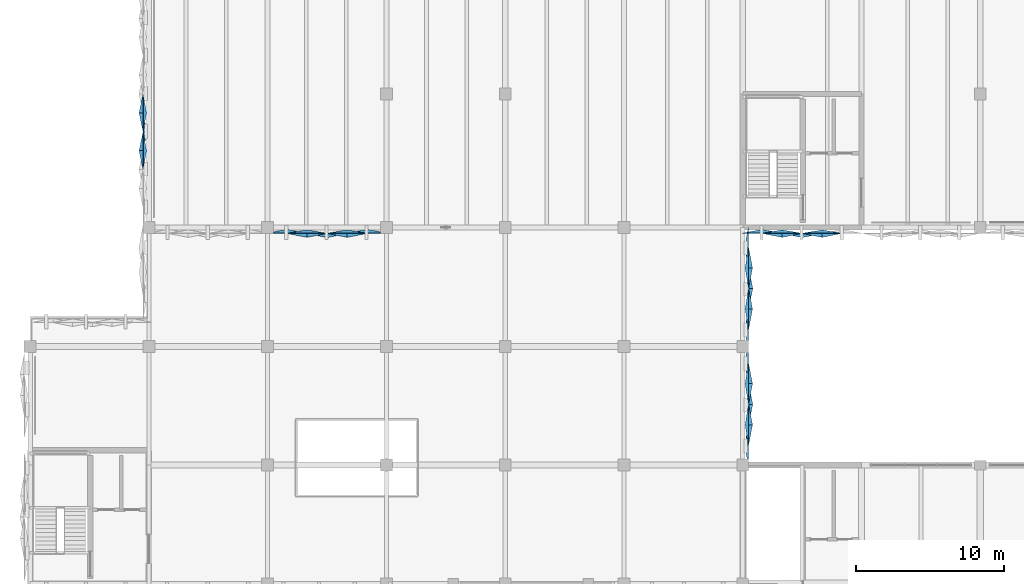
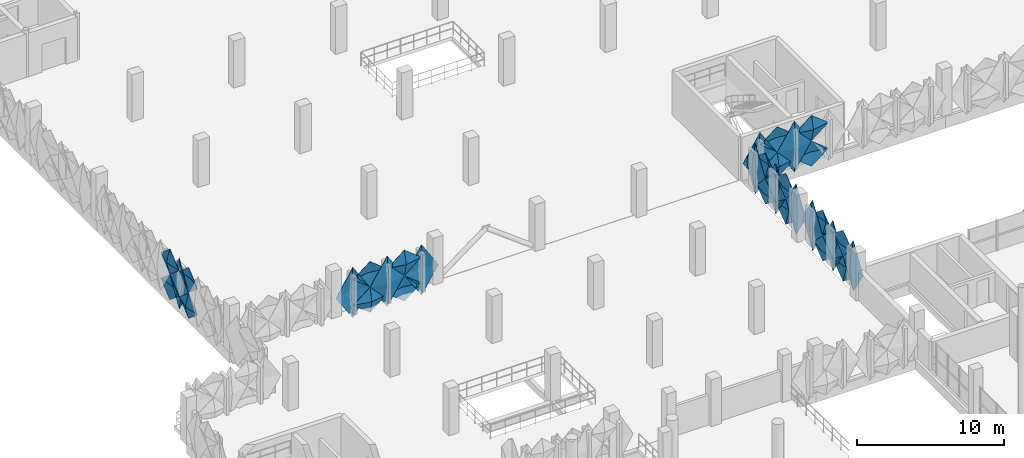
# One storey, part 90 of 123: 32 plates.
"""IFC4 building model written with IfcOpenShell, lengths in metres."""

from ifc_helpers import new_model, si_unit, derived_unit, direction, frame, origin, place, context, subcontext, project, spatial, polygons, material, layer, layer_set, type_object, element, save


model = new_model("IFC4")

# Units and contexts
model_context = context("Model", 3, precision=1e-05, world=origin(), true_north=direction((0.0, 1.0)))
body_context = subcontext(model_context, "Body", "Model", "MODEL_VIEW")
ifc_project = project(units=[si_unit("LENGTHUNIT", "METRE"), si_unit("AREAUNIT", "SQUARE_METRE"), si_unit("VOLUMEUNIT", "CUBIC_METRE"), si_unit("PLANEANGLEUNIT", "RADIAN"), si_unit("MASSUNIT", "GRAM", prefix="KILO"), si_unit("THERMODYNAMICTEMPERATUREUNIT", "KELVIN"), derived_unit("THERMALTRANSMITTANCEUNIT", [(si_unit("POWERUNIT", "WATT"), 1), (si_unit("AREAUNIT", "SQUARE_METRE"), -1), (si_unit("THERMODYNAMICTEMPERATUREUNIT", "KELVIN"), -1)])], contexts=[model_context])

# Site, building, storey
site_placement = place(None, origin())
site = spatial("IfcSite", under=ifc_project, at=site_placement, CompositionType="ELEMENT")
building_placement = place(site_placement, origin())
building = spatial("IfcBuilding", under=site, at=building_placement, Name="Haiyu Intermodal Mobility Hub", CompositionType="ELEMENT")
storey_placement = place(building_placement, frame((0.0, 0.0, 5.60009765625)))
storey = spatial("IfcBuildingStorey", under=building, at=storey_placement, Name="L01", CompositionType="ELEMENT", Elevation=5.60009765625)

# Plates
ifc_material = material(Name="Anodised aluminium 6063-T6", Category="aluminium")
ifc_layer_1 = layer(ifc_material, 0.01806640625)
ifc_layer_set_1 = layer_set([ifc_layer_1], Name="Anodised aluminium 6063-T6")
plate_type_1 = type_object("IfcPlateType", Name="PLT-FC03", PredefinedType="USERDEFINED", material=ifc_layer_set_1)
plate_1_placement = place(storey_placement, origin())
element("IfcPlate", 1, at=plate_1_placement, inside=storey, type_object=plate_type_1, Name="PLT-PYR-0534", ObjectType="FACADE CASSETTE", PredefinedType="USERDEFINED", context=body_context, shape_type="Tessellation", body=[
    polygons([(21.60009765625, 109.177001953125, -0.52001953125), (21.60009765625, 107.923095703125, 0.52978515625), (21.60009765625, 109.177001953125, 1.579833984375), (21.60009765625, 110.430908203125, 0.52978515625), (21.340087890625, 109.177001953125, 0.52978515625), (21.6220703125, 109.177001953125, -0.52001953125), (21.6220703125, 107.923095703125, 0.52978515625), (21.6220703125, 109.177001953125, 1.579833984375), (21.6220703125, 110.430908203125, 0.52978515625), (21.362060546875, 109.177001953125, 0.52978515625)], [[[1, 2, 5]], [[2, 3, 5]], [[3, 4, 5]], [[4, 1, 5]], [[7, 6, 10]], [[8, 7, 10]], [[9, 8, 10]], [[6, 9, 10]], [[1, 6, 7, 2]], [[2, 7, 8, 3]], [[3, 8, 9, 4]], [[4, 9, 6, 1]]], closed=True),
])
plate_2_placement = place(storey_placement, origin())
element("IfcPlate", 2, at=plate_2_placement, inside=storey, type_object=plate_type_1, Name="PLT-PYR-2020", ObjectType="FACADE CASSETTE", PredefinedType="USERDEFINED", context=body_context, shape_type="Tessellation", body=[
    polygons([(62.39990234375, 90.717041015625, -0.52001953125), (62.39990234375, 92.080078125, 0.52978515625), (62.39990234375, 90.717041015625, 1.579833984375), (62.39990234375, 89.35302734375, 0.52978515625), (62.659912109375, 90.717041015625, 0.52978515625), (62.3779296875, 90.717041015625, -0.52001953125), (62.3779296875, 92.080078125, 0.52978515625), (62.3779296875, 90.717041015625, 1.579833984375), (62.3779296875, 89.35302734375, 0.52978515625), (62.637939453125, 90.717041015625, 0.52978515625)], [[[1, 2, 5]], [[2, 3, 5]], [[3, 4, 5]], [[4, 1, 5]], [[7, 6, 10]], [[8, 7, 10]], [[9, 8, 10]], [[6, 9, 10]], [[1, 6, 7, 2]], [[2, 7, 8, 3]], [[3, 8, 9, 4]], [[4, 9, 6, 1]]], closed=True),
])
plate_3_placement = place(storey_placement, origin())
element("IfcPlate", 3, at=plate_3_placement, inside=storey, type_object=plate_type_1, Name="PLT-PYR-2027", ObjectType="FACADE CASSETTE", PredefinedType="USERDEFINED", context=body_context, shape_type="Tessellation", body=[
    polygons([(62.39990234375, 98.51708984375, -0.52001953125), (62.39990234375, 99.8798828125, 0.52978515625), (62.39990234375, 98.51708984375, 1.579833984375), (62.39990234375, 97.153076171875, 0.52978515625), (62.659912109375, 98.51708984375, 0.52978515625), (62.3779296875, 98.51708984375, -0.52001953125), (62.3779296875, 99.8798828125, 0.52978515625), (62.3779296875, 98.51708984375, 1.579833984375), (62.3779296875, 97.153076171875, 0.52978515625), (62.637939453125, 98.51708984375, 0.52978515625)], [[[1, 2, 5]], [[2, 3, 5]], [[3, 4, 5]], [[4, 1, 5]], [[7, 6, 10]], [[8, 7, 10]], [[9, 8, 10]], [[6, 9, 10]], [[1, 6, 7, 2]], [[2, 7, 8, 3]], [[3, 8, 9, 4]], [[4, 9, 6, 1]]], closed=True),
])
plate_4_placement = place(storey_placement, origin())
element("IfcPlate", 4, at=plate_4_placement, inside=storey, type_object=plate_type_1, Name="PLT-PYR-2191", ObjectType="FACADE CASSETTE", PredefinedType="USERDEFINED", context=body_context, shape_type="Tessellation", body=[
    polygons([(64.64990234375, 103.60009765625, -0.52001953125), (65.97998046875, 103.60009765625, 0.52978515625), (64.64990234375, 103.60009765625, 1.579833984375), (63.320068359375, 103.60009765625, 0.52978515625), (64.64990234375, 103.340087890625, 0.52978515625), (64.64990234375, 103.6220703125, -0.52001953125), (65.97998046875, 103.6220703125, 0.52978515625), (64.64990234375, 103.6220703125, 1.579833984375), (63.320068359375, 103.6220703125, 0.52978515625), (64.64990234375, 103.362060546875, 0.52978515625)], [[[1, 2, 5]], [[2, 3, 5]], [[3, 4, 5]], [[4, 1, 5]], [[7, 6, 10]], [[8, 7, 10]], [[9, 8, 10]], [[6, 9, 10]], [[1, 6, 7, 2]], [[2, 7, 8, 3]], [[3, 8, 9, 4]], [[4, 9, 6, 1]]], closed=True),
])
plate_5_placement = place(storey_placement, origin())
element("IfcPlate", 5, at=plate_5_placement, inside=storey, type_object=plate_type_1, Name="PLT-PYR-2275", ObjectType="FACADE CASSETTE", PredefinedType="USERDEFINED", context=body_context, shape_type="Tessellation", body=[
    polygons([(32.64990234375, 103.60009765625, -0.52001953125), (33.97998046875, 103.60009765625, 0.52978515625), (32.64990234375, 103.60009765625, 1.579833984375), (31.320068359375, 103.60009765625, 0.52978515625), (32.64990234375, 103.340087890625, 0.52978515625), (32.64990234375, 103.6220703125, -0.52001953125), (33.97998046875, 103.6220703125, 0.52978515625), (32.64990234375, 103.6220703125, 1.579833984375), (31.320068359375, 103.6220703125, 0.52978515625), (32.64990234375, 103.362060546875, 0.52978515625)], [[[1, 2, 5]], [[2, 3, 5]], [[3, 4, 5]], [[4, 1, 5]], [[7, 6, 10]], [[8, 7, 10]], [[9, 8, 10]], [[6, 9, 10]], [[1, 6, 7, 2]], [[2, 7, 8, 3]], [[3, 8, 9, 4]], [[4, 9, 6, 1]]], closed=True),
])
ifc_layer_2 = layer(ifc_material, 0.02001953125)
ifc_layer_set_2 = layer_set([ifc_layer_2], Name="Anodised aluminium 6063-T6")
plate_type_2 = type_object("IfcPlateType", Name="PLT-FC04", PredefinedType="USERDEFINED", material=ifc_layer_set_2)
plate_6_placement = place(storey_placement, origin())
element("IfcPlate", 6, at=plate_6_placement, inside=storey, type_object=plate_type_2, Name="PLT-PYR-0531", ObjectType="FACADE CASSETTE", PredefinedType="USERDEFINED", context=body_context, shape_type="Tessellation", body=[
    polygons([(21.60009765625, 111.72607421875, -0.52001953125), (21.60009765625, 110.470947265625, 0.52978515625), (21.60009765625, 111.72607421875, 1.579833984375), (21.60009765625, 112.97998046875, 0.52978515625), (21.820068359375, 111.72607421875, 0.52978515625), (21.6220703125, 111.72607421875, -0.52001953125), (21.6220703125, 110.470947265625, 0.52978515625), (21.6220703125, 111.72607421875, 1.579833984375), (21.6220703125, 112.97998046875, 0.52978515625), (21.842041015625, 111.72607421875, 0.52978515625)], [[[1, 2, 5]], [[2, 3, 5]], [[3, 4, 5]], [[4, 1, 5]], [[7, 6, 10]], [[8, 7, 10]], [[9, 8, 10]], [[6, 9, 10]], [[1, 6, 7, 2]], [[2, 7, 8, 3]], [[3, 8, 9, 4]], [[4, 9, 6, 1]]], closed=True),
])
plate_7_placement = place(storey_placement, origin())
element("IfcPlate", 7, at=plate_7_placement, inside=storey, type_object=plate_type_2, Name="PLT-PYR-0533", ObjectType="FACADE CASSETTE", PredefinedType="USERDEFINED", context=body_context, shape_type="Tessellation", body=[
    polygons([(21.60009765625, 110.450927734375, -0.510009765625), (21.60009765625, 109.197021484375, 1.599853515625), (21.60009765625, 110.450927734375, 3.7099609375), (21.60009765625, 111.7060546875, 1.599853515625), (21.860107421875, 110.450927734375, 1.599853515625), (21.6220703125, 110.450927734375, -0.510009765625), (21.6220703125, 109.197021484375, 1.599853515625), (21.6220703125, 110.450927734375, 3.7099609375), (21.6220703125, 111.7060546875, 1.599853515625), (21.882080078125, 110.450927734375, 1.599853515625)], [[[1, 2, 5]], [[2, 3, 5]], [[3, 4, 5]], [[4, 1, 5]], [[7, 6, 10]], [[8, 7, 10]], [[9, 8, 10]], [[6, 9, 10]], [[1, 6, 7, 2]], [[2, 7, 8, 3]], [[3, 8, 9, 4]], [[4, 9, 6, 1]]], closed=True),
])
plate_8_placement = place(storey_placement, origin())
element("IfcPlate", 8, at=plate_8_placement, inside=storey, type_object=plate_type_2, Name="PLT-PYR-2019", ObjectType="FACADE CASSETTE", PredefinedType="USERDEFINED", context=body_context, shape_type="Tessellation", body=[
    polygons([(62.39990234375, 89.3330078125, -0.510009765625), (62.39990234375, 90.697021484375, 1.599853515625), (62.39990234375, 89.3330078125, 3.7099609375), (62.39990234375, 87.969970703125, 1.599853515625), (62.139892578125, 89.3330078125, 1.599853515625), (62.3779296875, 89.3330078125, -0.510009765625), (62.3779296875, 90.697021484375, 1.599853515625), (62.3779296875, 89.3330078125, 3.7099609375), (62.3779296875, 87.969970703125, 1.599853515625), (62.117919921875, 89.3330078125, 1.599853515625)], [[[1, 2, 5]], [[2, 3, 5]], [[3, 4, 5]], [[4, 1, 5]], [[7, 6, 10]], [[8, 7, 10]], [[9, 8, 10]], [[6, 9, 10]], [[1, 6, 7, 2]], [[2, 7, 8, 3]], [[3, 8, 9, 4]], [[4, 9, 6, 1]]], closed=True),
])
plate_9_placement = place(storey_placement, origin())
element("IfcPlate", 9, at=plate_9_placement, inside=storey, type_object=plate_type_2, Name="PLT-PYR-2023", ObjectType="FACADE CASSETTE", PredefinedType="USERDEFINED", context=body_context, shape_type="Tessellation", body=[
    polygons([(62.39990234375, 93.48291015625, -0.52001953125), (62.39990234375, 94.846923828125, 0.52978515625), (62.39990234375, 93.48291015625, 1.579833984375), (62.39990234375, 92.1201171875, 0.52978515625), (62.179931640625, 93.48291015625, 0.52978515625), (62.3779296875, 93.48291015625, -0.52001953125), (62.3779296875, 94.846923828125, 0.52978515625), (62.3779296875, 93.48291015625, 1.579833984375), (62.3779296875, 92.1201171875, 0.52978515625), (62.157958984375, 93.48291015625, 0.52978515625)], [[[1, 2, 5]], [[2, 3, 5]], [[3, 4, 5]], [[4, 1, 5]], [[7, 6, 10]], [[8, 7, 10]], [[9, 8, 10]], [[6, 9, 10]], [[1, 6, 7, 2]], [[2, 7, 8, 3]], [[3, 8, 9, 4]], [[4, 9, 6, 1]]], closed=True),
])
plate_10_placement = place(storey_placement, origin())
element("IfcPlate", 10, at=plate_10_placement, inside=storey, type_object=plate_type_2, Name="PLT-PYR-2026", ObjectType="FACADE CASSETTE", PredefinedType="USERDEFINED", context=body_context, shape_type="Tessellation", body=[
    polygons([(62.39990234375, 97.133056640625, -0.510009765625), (62.39990234375, 98.4970703125, 1.599853515625), (62.39990234375, 97.133056640625, 3.7099609375), (62.39990234375, 95.77001953125, 1.599853515625), (62.139892578125, 97.133056640625, 1.599853515625), (62.3779296875, 97.133056640625, -0.510009765625), (62.3779296875, 98.4970703125, 1.599853515625), (62.3779296875, 97.133056640625, 3.7099609375), (62.3779296875, 95.77001953125, 1.599853515625), (62.117919921875, 97.133056640625, 1.599853515625)], [[[1, 2, 5]], [[2, 3, 5]], [[3, 4, 5]], [[4, 1, 5]], [[7, 6, 10]], [[8, 7, 10]], [[9, 8, 10]], [[6, 9, 10]], [[1, 6, 7, 2]], [[2, 7, 8, 3]], [[3, 8, 9, 4]], [[4, 9, 6, 1]]], closed=True),
])
plate_11_placement = place(storey_placement, origin())
element("IfcPlate", 11, at=plate_11_placement, inside=storey, type_object=plate_type_2, Name="PLT-PYR-2030", ObjectType="FACADE CASSETTE", PredefinedType="USERDEFINED", context=body_context, shape_type="Tessellation", body=[
    polygons([(62.39990234375, 101.282958984375, -0.52001953125), (62.39990234375, 102.64697265625, 0.52978515625), (62.39990234375, 101.282958984375, 1.579833984375), (62.39990234375, 99.919921875, 0.52978515625), (62.179931640625, 101.282958984375, 0.52978515625), (62.3779296875, 101.282958984375, -0.52001953125), (62.3779296875, 102.64697265625, 0.52978515625), (62.3779296875, 101.282958984375, 1.579833984375), (62.3779296875, 99.919921875, 0.52978515625), (62.157958984375, 101.282958984375, 0.52978515625)], [[[1, 2, 5]], [[2, 3, 5]], [[3, 4, 5]], [[4, 1, 5]], [[7, 6, 10]], [[8, 7, 10]], [[9, 8, 10]], [[6, 9, 10]], [[1, 6, 7, 2]], [[2, 7, 8, 3]], [[3, 8, 9, 4]], [[4, 9, 6, 1]]], closed=True),
])
plate_12_placement = place(storey_placement, origin())
element("IfcPlate", 12, at=plate_12_placement, inside=storey, type_object=plate_type_2, Name="PLT-PYR-2190", ObjectType="FACADE CASSETTE", PredefinedType="USERDEFINED", context=body_context, shape_type="Tessellation", body=[
    polygons([(63.300048828125, 103.60009765625, -0.510009765625), (64.6298828125, 103.60009765625, 1.599853515625), (63.300048828125, 103.60009765625, 3.7099609375), (61.969970703125, 103.60009765625, 1.599853515625), (63.300048828125, 103.860107421875, 1.599853515625), (63.300048828125, 103.6220703125, -0.510009765625), (64.6298828125, 103.6220703125, 1.599853515625), (63.300048828125, 103.6220703125, 3.7099609375), (61.969970703125, 103.6220703125, 1.599853515625), (63.300048828125, 103.882080078125, 1.599853515625)], [[[1, 2, 5]], [[2, 3, 5]], [[3, 4, 5]], [[4, 1, 5]], [[7, 6, 10]], [[8, 7, 10]], [[9, 8, 10]], [[6, 9, 10]], [[1, 6, 7, 2]], [[2, 7, 8, 3]], [[3, 8, 9, 4]], [[4, 9, 6, 1]]], closed=True),
])
plate_13_placement = place(storey_placement, origin())
element("IfcPlate", 13, at=plate_13_placement, inside=storey, type_object=plate_type_2, Name="PLT-PYR-2194", ObjectType="FACADE CASSETTE", PredefinedType="USERDEFINED", context=body_context, shape_type="Tessellation", body=[
    polygons([(67.35009765625, 103.60009765625, -0.52001953125), (68.679931640625, 103.60009765625, 0.52978515625), (67.35009765625, 103.60009765625, 1.579833984375), (66.02001953125, 103.60009765625, 0.52978515625), (67.35009765625, 103.820068359375, 0.52978515625), (67.35009765625, 103.6220703125, -0.52001953125), (68.679931640625, 103.6220703125, 0.52978515625), (67.35009765625, 103.6220703125, 1.579833984375), (66.02001953125, 103.6220703125, 0.52978515625), (67.35009765625, 103.842041015625, 0.52978515625)], [[[1, 2, 5]], [[2, 3, 5]], [[3, 4, 5]], [[4, 1, 5]], [[7, 6, 10]], [[8, 7, 10]], [[9, 8, 10]], [[6, 9, 10]], [[1, 6, 7, 2]], [[2, 7, 8, 3]], [[3, 8, 9, 4]], [[4, 9, 6, 1]]], closed=True),
])
plate_14_placement = place(storey_placement, origin())
element("IfcPlate", 14, at=plate_14_placement, inside=storey, type_object=plate_type_2, Name="PLT-PYR-2274", ObjectType="FACADE CASSETTE", PredefinedType="USERDEFINED", context=body_context, shape_type="Tessellation", body=[
    polygons([(31.300048828125, 103.60009765625, -0.510009765625), (32.6298828125, 103.60009765625, 1.599853515625), (31.300048828125, 103.60009765625, 3.7099609375), (29.969970703125, 103.60009765625, 1.599853515625), (31.300048828125, 103.860107421875, 1.599853515625), (31.300048828125, 103.6220703125, -0.510009765625), (32.6298828125, 103.6220703125, 1.599853515625), (31.300048828125, 103.6220703125, 3.7099609375), (29.969970703125, 103.6220703125, 1.599853515625), (31.300048828125, 103.882080078125, 1.599853515625)], [[[1, 2, 5]], [[2, 3, 5]], [[3, 4, 5]], [[4, 1, 5]], [[7, 6, 10]], [[8, 7, 10]], [[9, 8, 10]], [[6, 9, 10]], [[1, 6, 7, 2]], [[2, 7, 8, 3]], [[3, 8, 9, 4]], [[4, 9, 6, 1]]], closed=True),
])
plate_15_placement = place(storey_placement, origin())
element("IfcPlate", 15, at=plate_15_placement, inside=storey, type_object=plate_type_2, Name="PLT-PYR-2278", ObjectType="FACADE CASSETTE", PredefinedType="USERDEFINED", context=body_context, shape_type="Tessellation", body=[
    polygons([(35.35009765625, 103.60009765625, -0.52001953125), (36.679931640625, 103.60009765625, 0.52978515625), (35.35009765625, 103.60009765625, 1.579833984375), (34.02001953125, 103.60009765625, 0.52978515625), (35.35009765625, 103.820068359375, 0.52978515625), (35.35009765625, 103.6220703125, -0.52001953125), (36.679931640625, 103.6220703125, 0.52978515625), (35.35009765625, 103.6220703125, 1.579833984375), (34.02001953125, 103.6220703125, 0.52978515625), (35.35009765625, 103.842041015625, 0.52978515625)], [[[1, 2, 5]], [[2, 3, 5]], [[3, 4, 5]], [[4, 1, 5]], [[7, 6, 10]], [[8, 7, 10]], [[9, 8, 10]], [[6, 9, 10]], [[1, 6, 7, 2]], [[2, 7, 8, 3]], [[3, 8, 9, 4]], [[4, 9, 6, 1]]], closed=True),
])
ifc_layer_3 = layer(ifc_material, 0.01806640625)
ifc_layer_set_3 = layer_set([ifc_layer_3], Name="Anodised aluminium 6063-T6")
plate_type_3 = type_object("IfcPlateType", Name="PLT-FC05", PredefinedType="USERDEFINED", material=ifc_layer_set_3)
plate_16_placement = place(storey_placement, origin())
element("IfcPlate", 16, at=plate_16_placement, inside=storey, type_object=plate_type_3, Name="PLT-PYR-0532", ObjectType="FACADE CASSETTE", PredefinedType="USERDEFINED", context=body_context, shape_type="Tessellation", body=[
    polygons([(21.60009765625, 111.72607421875, 1.619873046875), (21.60009765625, 110.470947265625, 2.669921875), (21.60009765625, 111.72607421875, 3.719970703125), (21.60009765625, 112.97998046875, 2.669921875), (21.340087890625, 111.72607421875, 2.669921875), (21.6220703125, 111.72607421875, 1.619873046875), (21.6220703125, 110.470947265625, 2.669921875), (21.6220703125, 111.72607421875, 3.719970703125), (21.6220703125, 112.97998046875, 2.669921875), (21.362060546875, 111.72607421875, 2.669921875)], [[[1, 2, 5]], [[2, 3, 5]], [[3, 4, 5]], [[4, 1, 5]], [[7, 6, 10]], [[8, 7, 10]], [[9, 8, 10]], [[6, 9, 10]], [[1, 6, 7, 2]], [[2, 7, 8, 3]], [[3, 8, 9, 4]], [[4, 9, 6, 1]]], closed=True),
])
plate_17_placement = place(storey_placement, origin())
element("IfcPlate", 17, at=plate_17_placement, inside=storey, type_object=plate_type_3, Name="PLT-PYR-2022", ObjectType="FACADE CASSETTE", PredefinedType="USERDEFINED", context=body_context, shape_type="Tessellation", body=[
    polygons([(62.39990234375, 92.10009765625, -0.510009765625), (62.39990234375, 93.462890625, 1.599853515625), (62.39990234375, 92.10009765625, 3.7099609375), (62.39990234375, 90.737060546875, 1.599853515625), (62.679931640625, 92.10009765625, 1.599853515625), (62.3779296875, 92.10009765625, -0.510009765625), (62.3779296875, 93.462890625, 1.599853515625), (62.3779296875, 92.10009765625, 3.7099609375), (62.3779296875, 90.737060546875, 1.599853515625), (62.657958984375, 92.10009765625, 1.599853515625)], [[[1, 2, 5]], [[2, 3, 5]], [[3, 4, 5]], [[4, 1, 5]], [[7, 6, 10]], [[8, 7, 10]], [[9, 8, 10]], [[6, 9, 10]], [[1, 6, 7, 2]], [[2, 7, 8, 3]], [[3, 8, 9, 4]], [[4, 9, 6, 1]]], closed=True),
])
plate_18_placement = place(storey_placement, origin())
element("IfcPlate", 18, at=plate_18_placement, inside=storey, type_object=plate_type_3, Name="PLT-PYR-2024", ObjectType="FACADE CASSETTE", PredefinedType="USERDEFINED", context=body_context, shape_type="Tessellation", body=[
    polygons([(62.39990234375, 93.48291015625, 1.619873046875), (62.39990234375, 94.846923828125, 2.669921875), (62.39990234375, 93.48291015625, 3.719970703125), (62.39990234375, 92.1201171875, 2.669921875), (62.659912109375, 93.48291015625, 2.669921875), (62.3779296875, 93.48291015625, 1.619873046875), (62.3779296875, 94.846923828125, 2.669921875), (62.3779296875, 93.48291015625, 3.719970703125), (62.3779296875, 92.1201171875, 2.669921875), (62.637939453125, 93.48291015625, 2.669921875)], [[[1, 2, 5]], [[2, 3, 5]], [[3, 4, 5]], [[4, 1, 5]], [[7, 6, 10]], [[8, 7, 10]], [[9, 8, 10]], [[6, 9, 10]], [[1, 6, 7, 2]], [[2, 7, 8, 3]], [[3, 8, 9, 4]], [[4, 9, 6, 1]]], closed=True),
])
plate_19_placement = place(storey_placement, origin())
element("IfcPlate", 19, at=plate_19_placement, inside=storey, type_object=plate_type_3, Name="PLT-PYR-2029", ObjectType="FACADE CASSETTE", PredefinedType="USERDEFINED", context=body_context, shape_type="Tessellation", body=[
    polygons([(62.39990234375, 99.89990234375, -0.510009765625), (62.39990234375, 101.262939453125, 1.599853515625), (62.39990234375, 99.89990234375, 3.7099609375), (62.39990234375, 98.537109375, 1.599853515625), (62.679931640625, 99.89990234375, 1.599853515625), (62.3779296875, 99.89990234375, -0.510009765625), (62.3779296875, 101.262939453125, 1.599853515625), (62.3779296875, 99.89990234375, 3.7099609375), (62.3779296875, 98.537109375, 1.599853515625), (62.657958984375, 99.89990234375, 1.599853515625)], [[[1, 2, 5]], [[2, 3, 5]], [[3, 4, 5]], [[4, 1, 5]], [[7, 6, 10]], [[8, 7, 10]], [[9, 8, 10]], [[6, 9, 10]], [[1, 6, 7, 2]], [[2, 7, 8, 3]], [[3, 8, 9, 4]], [[4, 9, 6, 1]]], closed=True),
])
plate_20_placement = place(storey_placement, origin())
element("IfcPlate", 20, at=plate_20_placement, inside=storey, type_object=plate_type_3, Name="PLT-PYR-2031", ObjectType="FACADE CASSETTE", PredefinedType="USERDEFINED", context=body_context, shape_type="Tessellation", body=[
    polygons([(62.39990234375, 101.282958984375, 1.619873046875), (62.39990234375, 102.64697265625, 2.669921875), (62.39990234375, 101.282958984375, 3.719970703125), (62.39990234375, 99.919921875, 2.669921875), (62.659912109375, 101.282958984375, 2.669921875), (62.3779296875, 101.282958984375, 1.619873046875), (62.3779296875, 102.64697265625, 2.669921875), (62.3779296875, 101.282958984375, 3.719970703125), (62.3779296875, 99.919921875, 2.669921875), (62.637939453125, 101.282958984375, 2.669921875)], [[[1, 2, 5]], [[2, 3, 5]], [[3, 4, 5]], [[4, 1, 5]], [[7, 6, 10]], [[8, 7, 10]], [[9, 8, 10]], [[6, 9, 10]], [[1, 6, 7, 2]], [[2, 7, 8, 3]], [[3, 8, 9, 4]], [[4, 9, 6, 1]]], closed=True),
])
plate_21_placement = place(storey_placement, origin())
element("IfcPlate", 21, at=plate_21_placement, inside=storey, type_object=plate_type_3, Name="PLT-PYR-2193", ObjectType="FACADE CASSETTE", PredefinedType="USERDEFINED", context=body_context, shape_type="Tessellation", body=[
    polygons([(66.0, 103.60009765625, -0.510009765625), (67.330078125, 103.60009765625, 1.599853515625), (66.0, 103.60009765625, 3.7099609375), (64.669921875, 103.60009765625, 1.599853515625), (66.0, 103.320068359375, 1.599853515625), (66.0, 103.6220703125, -0.510009765625), (67.330078125, 103.6220703125, 1.599853515625), (66.0, 103.6220703125, 3.7099609375), (64.669921875, 103.6220703125, 1.599853515625), (66.0, 103.342041015625, 1.599853515625)], [[[1, 2, 5]], [[2, 3, 5]], [[3, 4, 5]], [[4, 1, 5]], [[7, 6, 10]], [[8, 7, 10]], [[9, 8, 10]], [[6, 9, 10]], [[1, 6, 7, 2]], [[2, 7, 8, 3]], [[3, 8, 9, 4]], [[4, 9, 6, 1]]], closed=True),
])
plate_22_placement = place(storey_placement, origin())
element("IfcPlate", 22, at=plate_22_placement, inside=storey, type_object=plate_type_3, Name="PLT-PYR-2195", ObjectType="FACADE CASSETTE", PredefinedType="USERDEFINED", context=body_context, shape_type="Tessellation", body=[
    polygons([(67.35009765625, 103.60009765625, 1.619873046875), (68.679931640625, 103.60009765625, 2.669921875), (67.35009765625, 103.60009765625, 3.719970703125), (66.02001953125, 103.60009765625, 2.669921875), (67.35009765625, 103.340087890625, 2.669921875), (67.35009765625, 103.6220703125, 1.619873046875), (68.679931640625, 103.6220703125, 2.669921875), (67.35009765625, 103.6220703125, 3.719970703125), (66.02001953125, 103.6220703125, 2.669921875), (67.35009765625, 103.362060546875, 2.669921875)], [[[1, 2, 5]], [[2, 3, 5]], [[3, 4, 5]], [[4, 1, 5]], [[7, 6, 10]], [[8, 7, 10]], [[9, 8, 10]], [[6, 9, 10]], [[1, 6, 7, 2]], [[2, 7, 8, 3]], [[3, 8, 9, 4]], [[4, 9, 6, 1]]], closed=True),
])
plate_23_placement = place(storey_placement, origin())
element("IfcPlate", 23, at=plate_23_placement, inside=storey, type_object=plate_type_3, Name="PLT-PYR-2277", ObjectType="FACADE CASSETTE", PredefinedType="USERDEFINED", context=body_context, shape_type="Tessellation", body=[
    polygons([(34.0, 103.60009765625, -0.510009765625), (35.330078125, 103.60009765625, 1.599853515625), (34.0, 103.60009765625, 3.7099609375), (32.669921875, 103.60009765625, 1.599853515625), (34.0, 103.320068359375, 1.599853515625), (34.0, 103.6220703125, -0.510009765625), (35.330078125, 103.6220703125, 1.599853515625), (34.0, 103.6220703125, 3.7099609375), (32.669921875, 103.6220703125, 1.599853515625), (34.0, 103.342041015625, 1.599853515625)], [[[1, 2, 5]], [[2, 3, 5]], [[3, 4, 5]], [[4, 1, 5]], [[7, 6, 10]], [[8, 7, 10]], [[9, 8, 10]], [[6, 9, 10]], [[1, 6, 7, 2]], [[2, 7, 8, 3]], [[3, 8, 9, 4]], [[4, 9, 6, 1]]], closed=True),
])
plate_24_placement = place(storey_placement, origin())
element("IfcPlate", 24, at=plate_24_placement, inside=storey, type_object=plate_type_3, Name="PLT-PYR-2279", ObjectType="FACADE CASSETTE", PredefinedType="USERDEFINED", context=body_context, shape_type="Tessellation", body=[
    polygons([(35.35009765625, 103.60009765625, 1.619873046875), (36.679931640625, 103.60009765625, 2.669921875), (35.35009765625, 103.60009765625, 3.719970703125), (34.02001953125, 103.60009765625, 2.669921875), (35.35009765625, 103.340087890625, 2.669921875), (35.35009765625, 103.6220703125, 1.619873046875), (36.679931640625, 103.6220703125, 2.669921875), (35.35009765625, 103.6220703125, 3.719970703125), (34.02001953125, 103.6220703125, 2.669921875), (35.35009765625, 103.362060546875, 2.669921875)], [[[1, 2, 5]], [[2, 3, 5]], [[3, 4, 5]], [[4, 1, 5]], [[7, 6, 10]], [[8, 7, 10]], [[9, 8, 10]], [[6, 9, 10]], [[1, 6, 7, 2]], [[2, 7, 8, 3]], [[3, 8, 9, 4]], [[4, 9, 6, 1]]], closed=True),
])
ifc_layer_4 = layer(ifc_material, 0.02001953125)
ifc_layer_set_4 = layer_set([ifc_layer_4], Name="Anodised aluminium 6063-T6")
plate_type_4 = type_object("IfcPlateType", Name="PLT-FC06", PredefinedType="USERDEFINED", material=ifc_layer_set_4)
plate_25_placement = place(storey_placement, origin())
element("IfcPlate", 25, at=plate_25_placement, inside=storey, type_object=plate_type_4, Name="PLT-PYR-0535", ObjectType="FACADE CASSETTE", PredefinedType="USERDEFINED", context=body_context, shape_type="Tessellation", body=[
    polygons([(21.60009765625, 109.177001953125, 1.619873046875), (21.60009765625, 107.923095703125, 2.669921875), (21.60009765625, 109.177001953125, 3.719970703125), (21.60009765625, 110.430908203125, 2.669921875), (21.820068359375, 109.177001953125, 2.669921875), (21.6220703125, 109.177001953125, 1.619873046875), (21.6220703125, 107.923095703125, 2.669921875), (21.6220703125, 109.177001953125, 3.719970703125), (21.6220703125, 110.430908203125, 2.669921875), (21.842041015625, 109.177001953125, 2.669921875)], [[[1, 2, 5]], [[2, 3, 5]], [[3, 4, 5]], [[4, 1, 5]], [[7, 6, 10]], [[8, 7, 10]], [[9, 8, 10]], [[6, 9, 10]], [[1, 6, 7, 2]], [[2, 7, 8, 3]], [[3, 8, 9, 4]], [[4, 9, 6, 1]]], closed=True),
])
plate_26_placement = place(storey_placement, origin())
element("IfcPlate", 26, at=plate_26_placement, inside=storey, type_object=plate_type_4, Name="PLT-PYR-2021", ObjectType="FACADE CASSETTE", PredefinedType="USERDEFINED", context=body_context, shape_type="Tessellation", body=[
    polygons([(62.39990234375, 90.717041015625, 1.619873046875), (62.39990234375, 92.080078125, 2.669921875), (62.39990234375, 90.717041015625, 3.719970703125), (62.39990234375, 89.35302734375, 2.669921875), (62.179931640625, 90.717041015625, 2.669921875), (62.3779296875, 90.717041015625, 1.619873046875), (62.3779296875, 92.080078125, 2.669921875), (62.3779296875, 90.717041015625, 3.719970703125), (62.3779296875, 89.35302734375, 2.669921875), (62.157958984375, 90.717041015625, 2.669921875)], [[[1, 2, 5]], [[2, 3, 5]], [[3, 4, 5]], [[4, 1, 5]], [[7, 6, 10]], [[8, 7, 10]], [[9, 8, 10]], [[6, 9, 10]], [[1, 6, 7, 2]], [[2, 7, 8, 3]], [[3, 8, 9, 4]], [[4, 9, 6, 1]]], closed=True),
])
plate_27_placement = place(storey_placement, origin())
element("IfcPlate", 27, at=plate_27_placement, inside=storey, type_object=plate_type_4, Name="PLT-PYR-2028", ObjectType="FACADE CASSETTE", PredefinedType="USERDEFINED", context=body_context, shape_type="Tessellation", body=[
    polygons([(62.39990234375, 98.51708984375, 1.619873046875), (62.39990234375, 99.8798828125, 2.669921875), (62.39990234375, 98.51708984375, 3.719970703125), (62.39990234375, 97.153076171875, 2.669921875), (62.179931640625, 98.51708984375, 2.669921875), (62.3779296875, 98.51708984375, 1.619873046875), (62.3779296875, 99.8798828125, 2.669921875), (62.3779296875, 98.51708984375, 3.719970703125), (62.3779296875, 97.153076171875, 2.669921875), (62.157958984375, 98.51708984375, 2.669921875)], [[[1, 2, 5]], [[2, 3, 5]], [[3, 4, 5]], [[4, 1, 5]], [[7, 6, 10]], [[8, 7, 10]], [[9, 8, 10]], [[6, 9, 10]], [[1, 6, 7, 2]], [[2, 7, 8, 3]], [[3, 8, 9, 4]], [[4, 9, 6, 1]]], closed=True),
])
plate_28_placement = place(storey_placement, origin())
element("IfcPlate", 28, at=plate_28_placement, inside=storey, type_object=plate_type_4, Name="PLT-PYR-2192", ObjectType="FACADE CASSETTE", PredefinedType="USERDEFINED", context=body_context, shape_type="Tessellation", body=[
    polygons([(64.64990234375, 103.60009765625, 1.619873046875), (65.97998046875, 103.60009765625, 2.669921875), (64.64990234375, 103.60009765625, 3.719970703125), (63.320068359375, 103.60009765625, 2.669921875), (64.64990234375, 103.820068359375, 2.669921875), (64.64990234375, 103.6220703125, 1.619873046875), (65.97998046875, 103.6220703125, 2.669921875), (64.64990234375, 103.6220703125, 3.719970703125), (63.320068359375, 103.6220703125, 2.669921875), (64.64990234375, 103.842041015625, 2.669921875)], [[[1, 2, 5]], [[2, 3, 5]], [[3, 4, 5]], [[4, 1, 5]], [[7, 6, 10]], [[8, 7, 10]], [[9, 8, 10]], [[6, 9, 10]], [[1, 6, 7, 2]], [[2, 7, 8, 3]], [[3, 8, 9, 4]], [[4, 9, 6, 1]]], closed=True),
])
plate_29_placement = place(storey_placement, origin())
element("IfcPlate", 29, at=plate_29_placement, inside=storey, type_object=plate_type_4, Name="PLT-PYR-2276", ObjectType="FACADE CASSETTE", PredefinedType="USERDEFINED", context=body_context, shape_type="Tessellation", body=[
    polygons([(32.64990234375, 103.60009765625, 1.619873046875), (33.97998046875, 103.60009765625, 2.669921875), (32.64990234375, 103.60009765625, 3.719970703125), (31.320068359375, 103.60009765625, 2.669921875), (32.64990234375, 103.820068359375, 2.669921875), (32.64990234375, 103.6220703125, 1.619873046875), (33.97998046875, 103.6220703125, 2.669921875), (32.64990234375, 103.6220703125, 3.719970703125), (31.320068359375, 103.6220703125, 2.669921875), (32.64990234375, 103.842041015625, 2.669921875)], [[[1, 2, 5]], [[2, 3, 5]], [[3, 4, 5]], [[4, 1, 5]], [[7, 6, 10]], [[8, 7, 10]], [[9, 8, 10]], [[6, 9, 10]], [[1, 6, 7, 2]], [[2, 7, 8, 3]], [[3, 8, 9, 4]], [[4, 9, 6, 1]]], closed=True),
])
ifc_layer_5 = layer(ifc_material, 0.02392578125)
ifc_layer_set_5 = layer_set([ifc_layer_5], Name="Anodised aluminium 6063-T6")
plate_type_5 = type_object("IfcPlateType", Name="PLT-FC08", PredefinedType="USERDEFINED", material=ifc_layer_set_5)
plate_30_placement = place(storey_placement, origin())
element("IfcPlate", 30, at=plate_30_placement, inside=storey, type_object=plate_type_5, Name="PLT-PYR-2025", ObjectType="FACADE CASSETTE", PredefinedType="USERDEFINED", context=body_context, shape_type="Tessellation", body=[
    polygons([(62.39990234375, 94.866943359375, -0.510009765625), (62.39990234375, 96.22998046875, 1.599853515625), (62.39990234375, 94.866943359375, 3.7099609375), (62.39990234375, 93.5029296875, 1.599853515625), (62.139892578125, 94.866943359375, 1.599853515625), (62.3779296875, 94.866943359375, -0.510009765625), (62.3779296875, 96.22998046875, 1.599853515625), (62.3779296875, 94.866943359375, 3.7099609375), (62.3779296875, 93.5029296875, 1.599853515625), (62.117919921875, 94.866943359375, 1.599853515625)], [[[1, 2, 5]], [[2, 3, 5]], [[3, 4, 5]], [[4, 1, 5]], [[7, 6, 10]], [[8, 7, 10]], [[9, 8, 10]], [[6, 9, 10]], [[1, 6, 7, 2]], [[2, 7, 8, 3]], [[3, 8, 9, 4]], [[4, 9, 6, 1]]], closed=True),
])
plate_31_placement = place(storey_placement, origin())
element("IfcPlate", 31, at=plate_31_placement, inside=storey, type_object=plate_type_5, Name="PLT-PYR-2032", ObjectType="FACADE CASSETTE", PredefinedType="USERDEFINED", context=body_context, shape_type="Tessellation", body=[
    polygons([(62.39990234375, 102.6669921875, -0.510009765625), (62.39990234375, 104.030029296875, 1.599853515625), (62.39990234375, 102.6669921875, 3.7099609375), (62.39990234375, 101.302978515625, 1.599853515625), (62.139892578125, 102.6669921875, 1.599853515625), (62.3779296875, 102.6669921875, -0.510009765625), (62.3779296875, 104.030029296875, 1.599853515625), (62.3779296875, 102.6669921875, 3.7099609375), (62.3779296875, 101.302978515625, 1.599853515625), (62.117919921875, 102.6669921875, 1.599853515625)], [[[1, 2, 5]], [[2, 3, 5]], [[3, 4, 5]], [[4, 1, 5]], [[7, 6, 10]], [[8, 7, 10]], [[9, 8, 10]], [[6, 9, 10]], [[1, 6, 7, 2]], [[2, 7, 8, 3]], [[3, 8, 9, 4]], [[4, 9, 6, 1]]], closed=True),
])
plate_32_placement = place(storey_placement, origin())
element("IfcPlate", 32, at=plate_32_placement, inside=storey, type_object=plate_type_5, Name="PLT-PYR-2280", ObjectType="FACADE CASSETTE", PredefinedType="USERDEFINED", context=body_context, shape_type="Tessellation", body=[
    polygons([(36.699951171875, 103.60009765625, -0.510009765625), (38.030029296875, 103.60009765625, 1.599853515625), (36.699951171875, 103.60009765625, 3.7099609375), (35.3701171875, 103.60009765625, 1.599853515625), (36.699951171875, 103.860107421875, 1.599853515625), (36.699951171875, 103.6220703125, -0.510009765625), (38.030029296875, 103.6220703125, 1.599853515625), (36.699951171875, 103.6220703125, 3.7099609375), (35.3701171875, 103.6220703125, 1.599853515625), (36.699951171875, 103.882080078125, 1.599853515625)], [[[1, 2, 5]], [[2, 3, 5]], [[3, 4, 5]], [[4, 1, 5]], [[7, 6, 10]], [[8, 7, 10]], [[9, 8, 10]], [[6, 9, 10]], [[1, 6, 7, 2]], [[2, 7, 8, 3]], [[3, 8, 9, 4]], [[4, 9, 6, 1]]], closed=True),
])

save(model, "model.ifc")
